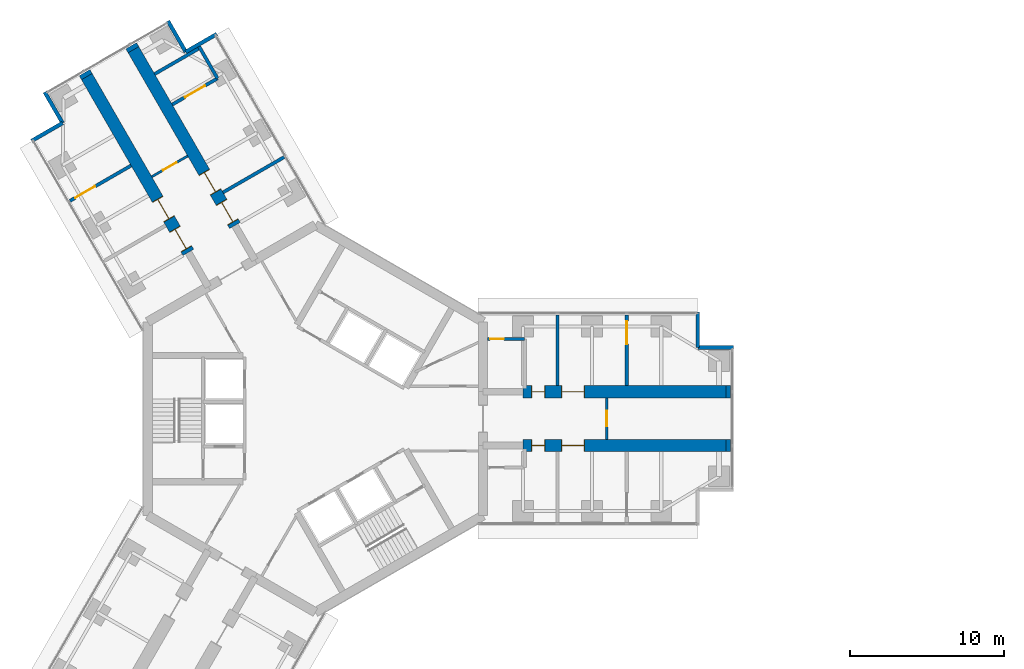
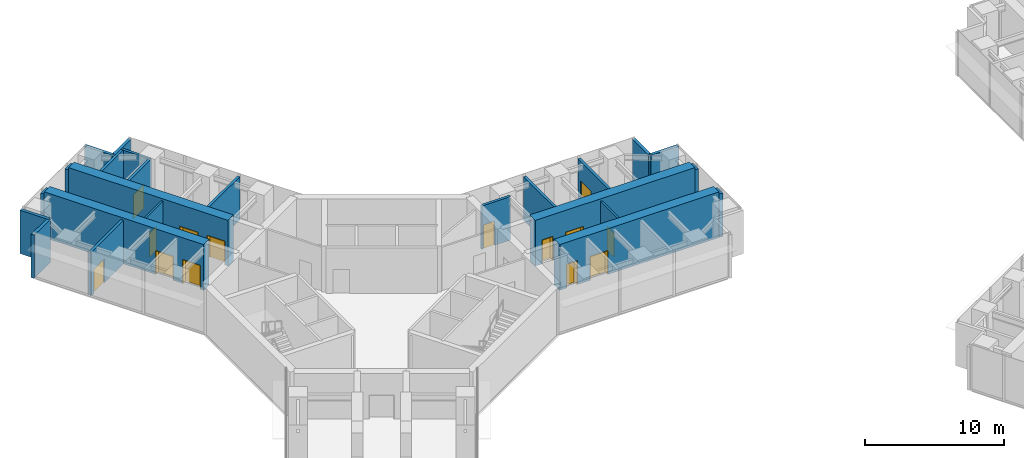
# One storey, part 17 of 21: 24 walls, 14 doors, 14 openings.
"""IFC4 building model written with IfcOpenShell, lengths in metres."""

from ifc_helpers import new_model, si_unit, direction, frame, frame_2d, origin, place, context, subcontext, project, spatial, rectangle, extrude, material, layer, layer_set, type_object, element, fill, save


model = new_model("IFC4")

# Units and contexts
model_context = context("Model", 3, precision=1e-05, world=origin(), true_north=direction((0.0, 1.0)))
body_context = subcontext(model_context, "Body", "Model", "MODEL_VIEW")
ifc_project = project(units=[si_unit("LENGTHUNIT", "METRE"), si_unit("AREAUNIT", "SQUARE_METRE"), si_unit("VOLUMEUNIT", "CUBIC_METRE"), si_unit("PLANEANGLEUNIT", "RADIAN"), si_unit("MASSUNIT", "GRAM", prefix="KILO")], contexts=[model_context])

# Site, building, storey
site_placement = place(None, origin())
site = spatial("IfcSite", under=ifc_project, at=site_placement, CompositionType="ELEMENT")
building_placement = place(site_placement, origin())
building = spatial("IfcBuilding", under=site, at=building_placement, Name="Upepo Twin Towers", CompositionType="ELEMENT")
storey_placement = place(building_placement, frame((0.0, 0.0, 117.5)))
storey = spatial("IfcBuildingStorey", under=building, at=storey_placement, Name="L28", CompositionType="ELEMENT", Elevation=117.5)

# Wall
ifc_material_1 = material(Name="Concrete blockwork, plastered both faces", Category="masonry")
ifc_layer_1 = layer(ifc_material_1, 0.215087890625)
ifc_layer_set_1 = layer_set([ifc_layer_1], Name="Blockwork partition 215")
wall_type_1 = type_object("IfcWallType", Name="Blockwork partition 215", PredefinedType="PARTITIONING", material=ifc_layer_set_1)
wall_1_placement = place(storey_placement, frame((15.75, 2.14990234375, 0.0), z_axis=(0.0, 0.0, 1.0), x_axis=(0.0, 1.0, 0.0)))
element("IfcWall", 1, at=wall_1_placement, inside=storey, type_object=wall_type_1, Name="T1 partition AL at 15.75", PredefinedType="PARTITIONING", context=body_context, shape_type="SweptSolid", body=[
    extrude(rectangle(XDim=4.60009765625, YDim=0.215087890625, at=frame_2d((2.300048828125, 0.0))), origin(), (0.0, 0.0, 1.0), 3.800048828125),
])

# Wall, opening, door
wall_2_placement = place(storey_placement, frame((20.25, 2.14990234375, 0.0), z_axis=(0.0, 0.0, 1.0), x_axis=(0.0, 1.0, 0.0)))
wall_2 = element("IfcWall", 2, at=wall_2_placement, inside=storey, type_object=wall_type_1, Name="T1 partition AL at 20.25", PredefinedType="PARTITIONING", context=body_context, shape_type="SweptSolid", body=[
    extrude(rectangle(XDim=4.60009765625, YDim=0.215087890625, at=frame_2d((2.300048828125, 0.0))), origin(), (0.0, 0.0, 1.0), 3.800048828125),
])
opening_1_placement = place(wall_2_placement, frame((2.699951171875, 0.0, 0.0)))
opening_1 = element("IfcOpeningElement", 3, at=opening_1_placement, cuts=wall_2, Name="Opening D13", PredefinedType="OPENING", context=body_context, shape_type="SweptSolid", body=[
    extrude(rectangle(XDim=1.5, YDim=2.10009765625, at=frame_2d((0.75, 1.050048828125))), frame((0.0, 0.117431640625, 0.0), z_axis=(0.0, -1.0, 0.0), x_axis=(1.0, 0.0, 0.0)), (0.0, 0.0, 1.0), 0.235107421875),
])
ifc_material_2 = material(Name="Timber doorset", Category="wood")
door_type_1 = type_object("IfcDoorType", Name="Double door 1500 FD30", OperationType="DOUBLE_DOOR_SINGLE_SWING", PredefinedType="DOOR", material=ifc_material_2)
door_1_placement = place(opening_1_placement, origin())
door_1 = element("IfcDoor", 4, at=door_1_placement, inside=storey, type_object=door_type_1, Name="T1 L28 connecting door", OperationType="DOUBLE_DOOR_SINGLE_SWING", OverallHeight=2.10009765625, OverallWidth=1.5, PredefinedType="DOOR", context=body_context, shape_type="SweptSolid", body=[
    extrude(rectangle(XDim=1.5, YDim=2.10009765625, at=frame_2d((0.75, 1.050048828125))), frame((0.0, 0.02490234375, 0.0), z_axis=(0.0, -1.0, 0.0), x_axis=(1.0, 0.0, 0.0)), (0.0, 0.0, 1.0), 0.050048828125),
])
fill(opening_1, door_1)

wall_3_placement = place(storey_placement, frame((11.2080078125, 5.175048828125, 0.0), z_axis=(0.0, 0.0, 1.0), x_axis=(1.0, 0.0, 0.0)))
wall_3 = element("IfcWall", 5, at=wall_3_placement, inside=storey, type_object=wall_type_1, Name="T1 WC bay partition AL at 11.21", PredefinedType="PARTITIONING", context=body_context, shape_type="SweptSolid", body=[
    extrude(rectangle(XDim=2.39990234375, YDim=0.215087890625, at=frame_2d((1.199951171875, 0.0))), origin(), (0.0, 0.0, 1.0), 3.800048828125),
])
opening_2_placement = place(wall_3_placement, frame((0.14990234375, 0.0, 0.0)))
opening_2 = element("IfcOpeningElement", 6, at=opening_2_placement, cuts=wall_3, Name="Opening D14", PredefinedType="OPENING", context=body_context, shape_type="SweptSolid", body=[
    extrude(rectangle(XDim=0.89990234375, YDim=2.10009765625, at=frame_2d((0.449951171875, 1.050048828125))), frame((0.0, 0.117431640625, 0.0), z_axis=(0.0, -1.0, 0.0), x_axis=(1.0, 0.0, 0.0)), (0.0, 0.0, 1.0), 0.235107421875),
])
ifc_material_3 = material(Name="Timber doorset", Category="wood")
door_type_2 = type_object("IfcDoorType", Name="Office door 900 FD30", OperationType="SINGLE_SWING_LEFT", PredefinedType="DOOR", material=ifc_material_3)
door_2_placement = place(opening_2_placement, origin())
door_2 = element("IfcDoor", 7, at=door_2_placement, inside=storey, type_object=door_type_2, Name="T1 L28 WC bay inner room door", OperationType="SINGLE_SWING_LEFT", OverallHeight=2.10009765625, OverallWidth=0.89990234375, PredefinedType="DOOR", context=body_context, shape_type="SweptSolid", body=[
    extrude(rectangle(XDim=0.89990234375, YDim=2.10009765625, at=frame_2d((0.449951171875, 1.050048828125))), frame((0.0, 0.02490234375, 0.0), z_axis=(0.0, -1.0, 0.0), x_axis=(1.0, 0.0, 0.0)), (0.0, 0.0, 1.0), 0.050048828125),
])
fill(opening_2, door_2)

wall_4_placement = place(storey_placement, frame((-11.987060546875, 16.4619140625, 0.0), z_axis=(0.0, 0.0, 1.0), x_axis=(-0.866039752405, -0.499975146636, 0.0)))
wall_4 = element("IfcWall", 8, at=wall_4_placement, inside=storey, type_object=wall_type_1, Name="T1 partition BL at 20.25", PredefinedType="PARTITIONING", context=body_context, shape_type="SweptSolid", body=[
    extrude(rectangle(XDim=4.599853515625, YDim=0.215087890625, at=frame_2d((2.2998046875, 0.0))), origin(), (0.0, 0.0, 1.0), 3.800048828125),
])
opening_3_placement = place(wall_4_placement, frame((2.699951171875, 0.0, 0.0)))
opening_3 = element("IfcOpeningElement", 9, at=opening_3_placement, cuts=wall_4, Name="Opening D13", PredefinedType="OPENING", context=body_context, shape_type="SweptSolid", body=[
    extrude(rectangle(XDim=1.5, YDim=2.10009765625, at=frame_2d((0.75, 1.050048828125))), frame((0.0, 0.117431640625, 0.0), z_axis=(0.0, -1.0, 0.0), x_axis=(1.0, 0.0, 0.0)), (0.0, 0.0, 1.0), 0.235107421875),
])
door_3_placement = place(opening_3_placement, origin())
door_3 = element("IfcDoor", 10, at=door_3_placement, inside=storey, type_object=door_type_1, Name="T1 L28 connecting door", OperationType="DOUBLE_DOOR_SINGLE_SWING", OverallHeight=2.10009765625, OverallWidth=1.5, PredefinedType="DOOR", context=body_context, shape_type="SweptSolid", body=[
    extrude(rectangle(XDim=1.5, YDim=2.10009765625, at=frame_2d((0.75, 1.050048828125))), frame((0.0, 0.02490234375, 0.0), z_axis=(0.0, -1.0, 0.0), x_axis=(1.0, 0.0, 0.0)), (0.0, 0.0, 1.0), 0.050048828125),
])
fill(opening_3, door_3)

# Walls
wall_5_placement = place(storey_placement, frame((-6.012939453125, 14.71484375, 0.0), z_axis=(0.0, 0.0, 1.0), x_axis=(0.866016770315, 0.500014953309, 0.0)))
element("IfcWall", 11, at=wall_5_placement, inside=storey, type_object=wall_type_1, Name="T1 partition BR at 15.75", PredefinedType="PARTITIONING", context=body_context, shape_type="SweptSolid", body=[
    extrude(rectangle(XDim=4.599853515625, YDim=0.215087890625, at=frame_2d((2.2998046875, 0.0))), origin(), (0.0, 0.0, 1.0), 3.800048828125),
])
wall_6_placement = place(storey_placement, frame((-6.36865234375, 22.130615234375, 0.0), z_axis=(0.0, 0.0, 1.0), x_axis=(-0.499957262057, 0.866050077142, 0.0)))
element("IfcWall", 12, at=wall_6_placement, inside=storey, type_object=wall_type_1, Name="T1 inner room partition BR at 22.35", PredefinedType="PARTITIONING", context=body_context, shape_type="SweptSolid", body=[
    extrude(rectangle(XDim=2.400146484375, YDim=0.215087890625, at=frame_2d((1.2001953125, 0.0))), origin(), (0.0, 0.0, 1.0), 3.800048828125),
])

# Wall, opening, door
wall_7_placement = place(storey_placement, frame((-9.31298828125, 20.4306640625, 0.0), z_axis=(0.0, 0.0, 1.0), x_axis=(0.866020560687, 0.500008388397, 0.0)))
wall_7 = element("IfcWall", 13, at=wall_7_placement, inside=storey, type_object=wall_type_1, Name="T1 inner room partition BR end at 22.35", PredefinedType="PARTITIONING", context=body_context, shape_type="SweptSolid", body=[
    extrude(rectangle(XDim=3.39990234375, YDim=0.215087890625, at=frame_2d((1.699951171875, 0.0))), origin(), (0.0, 0.0, 1.0), 3.800048828125),
])
opening_4_placement = place(wall_7_placement, frame((0.949951171875, 0.0, 0.0)))
opening_4 = element("IfcOpeningElement", 14, at=opening_4_placement, cuts=wall_7, Name="Opening D13", PredefinedType="OPENING", context=body_context, shape_type="SweptSolid", body=[
    extrude(rectangle(XDim=1.5, YDim=2.10009765625, at=frame_2d((0.75, 1.050048828125))), frame((0.0, 0.117431640625, 0.0), z_axis=(0.0, -1.0, 0.0), x_axis=(1.0, 0.0, 0.0)), (0.0, 0.0, 1.0), 0.235107421875),
])
door_4_placement = place(opening_4_placement, origin())
door_4 = element("IfcDoor", 15, at=door_4_placement, inside=storey, type_object=door_type_1, Name="T1 L28 inner room door", OperationType="DOUBLE_DOOR_SINGLE_SWING", OverallHeight=2.10009765625, OverallWidth=1.5, PredefinedType="DOOR", context=body_context, shape_type="SweptSolid", body=[
    extrude(rectangle(XDim=1.5, YDim=2.10009765625, at=frame_2d((0.75, 1.050048828125))), frame((0.0, 0.02490234375, 0.0), z_axis=(0.0, -1.0, 0.0), x_axis=(1.0, 0.0, 0.0)), (0.0, 0.0, 1.0), 0.050048828125),
])
fill(opening_4, door_4)

# Walls
wall_8_placement = place(storey_placement, frame((-10.459228515625, 22.416015625, 0.0), z_axis=(0.0, 0.0, 1.0), x_axis=(0.866020560687, 0.500008388397, 0.0)))
element("IfcWall", 16, at=wall_8_placement, inside=storey, type_object=wall_type_1, Name="T1 inner room partition BR end at 24.75", PredefinedType="PARTITIONING", context=body_context, shape_type="SweptSolid", body=[
    extrude(rectangle(XDim=3.39990234375, YDim=0.215087890625, at=frame_2d((1.699951171875, 0.0))), origin(), (0.0, 0.0, 1.0), 3.800048828125),
])
ifc_material_4 = material(Name="Dense concrete blockwork", Category="masonry")
ifc_layer_2 = layer(ifc_material_4, 0.800048828125)
ifc_layer_set_2 = layer_set([ifc_layer_2], Name="Buttress closer 800, blockwork with fire-stopping to the curtain wall")
wall_type_2 = type_object("IfcWallType", Name="Buttress closer 800, blockwork with fire-stopping to the curtain wall", PredefinedType="PARTITIONING", material=ifc_layer_set_2)
for number, where, z_axis, x_axis, name in (
    (17, (26.699951171875, 1.75, 0.0), (0.0, 0.0, 1.0), (1.0, 0.0, 0.0), "T1 L28 wing A buttress closer L"),
    (18, (26.699951171875, -1.75, 0.0), (0.0, 0.0, 1.0), (1.0, 0.0, 0.0), "T1 L28 wing A buttress closer R"),
    (19, (-14.865478515625, 22.247802734375, 0.0), (0.0, 0.0, 1.0), (-0.500426713919, 0.865778900179, 0.0), "T1 L28 wing B buttress closer L"),
):
    element("IfcWall", number, at=place(storey_placement, frame(where, z_axis=z_axis, x_axis=x_axis)), inside=storey, type_object=wall_type_2, Name=name, PredefinedType="PARTITIONING", context=body_context, shape_type="SweptSolid", body=[
        extrude(rectangle(XDim=0.300048828125, YDim=0.800048828125, at=frame_2d((0.14990234375, 0.0))), origin(), (0.0, 0.0, 1.0), 3.800048828125),
    ])
wall_9_placement = place(storey_placement, frame((-11.83447265625, 23.997802734375, 0.0), z_axis=(0.0, 0.0, 1.0), x_axis=(-0.499816412211, 0.866131372301, 0.0)))
element("IfcWall", 20, at=wall_9_placement, inside=storey, type_object=wall_type_2, Name="T1 L28 wing B buttress closer R", PredefinedType="PARTITIONING", context=body_context, shape_type="SweptSolid", body=[
    extrude(rectangle(XDim=0.2998046875, YDim=0.800048828125, at=frame_2d((0.14990234375, 0.0))), origin(), (0.0, 0.0, 1.0), 3.800048828125),
])

# Wall, openings, doors
ifc_material_5 = material(Name="Concrete C60/75", Category="concrete")
ifc_layer_3 = layer(ifc_material_5, 0.800048828125)
ifc_layer_set_3 = layer_set([ifc_layer_3], Name="Concrete C60/75")
wall_type_3 = type_object("IfcWallType", Name="Buttress wall 800 RC", PredefinedType="SHEAR", material=ifc_layer_set_3)
wall_10_placement = place(storey_placement, frame((13.5, 1.75, 0.0), z_axis=(0.0, 0.0, 1.0), x_axis=(1.0, 0.0, 0.0)))
wall_10 = element("IfcWall", 21, at=wall_10_placement, inside=storey, type_object=wall_type_3, Name="T1 wing A buttress wall L part 2", PredefinedType="SHEAR", context=body_context, shape_type="SweptSolid", body=[
    extrude(rectangle(XDim=13.199951171875, YDim=0.800048828125, at=frame_2d((6.60009765625, 0.0))), origin(), (0.0, 0.0, 1.0), 4.0),
])
opening_5_placement = place(wall_10_placement, frame((0.550048828125, 0.0, 0.0)))
opening_5 = element("IfcOpeningElement", 22, at=opening_5_placement, cuts=wall_10, Name="Opening D11", PredefinedType="OPENING", context=body_context, shape_type="SweptSolid", body=[
    extrude(rectangle(XDim=0.89990234375, YDim=2.10009765625, at=frame_2d((0.449951171875, 1.050048828125))), frame((0.0, 0.409912109375, 0.0), z_axis=(0.0, -1.0, 0.0), x_axis=(1.0, 0.0, 0.0)), (0.0, 0.0, 1.0), 0.820068359375),
])
opening_6_placement = place(wall_10_placement, frame((2.5, 0.0, 0.0)))
opening_6 = element("IfcOpeningElement", 23, at=opening_6_placement, cuts=wall_10, Name="Opening D13", PredefinedType="OPENING", context=body_context, shape_type="SweptSolid", body=[
    extrude(rectangle(XDim=1.5, YDim=2.10009765625, at=frame_2d((0.75, 1.050048828125))), frame((0.0, 0.409912109375, 0.0), z_axis=(0.0, -1.0, 0.0), x_axis=(1.0, 0.0, 0.0)), (0.0, 0.0, 1.0), 0.820068359375),
])
door_5_placement = place(opening_6_placement, origin())
door_5 = element("IfcDoor", 24, at=door_5_placement, inside=storey, type_object=door_type_1, Name="T1 L28 instrument room door", OperationType="DOUBLE_DOOR_SINGLE_SWING", OverallHeight=2.10009765625, OverallWidth=1.5, PredefinedType="DOOR", context=body_context, shape_type="SweptSolid", body=[
    extrude(rectangle(XDim=1.42, YDim=2.06009765625, at=frame_2d((0.75, 1.030029296875))), frame((0.0, 0.02490234375, 0.0), z_axis=(0.0, -1.0, 0.0), x_axis=(1.0, 0.0, 0.0)), (0.0, 0.0, 1.0), 0.050048828125),
    extrude(rectangle(XDim=0.04, YDim=2.10009765625, at=frame_2d((0.02001953125, 1.050048828125))), frame((0.0, 0.39990234375, 0.0), z_axis=(0.0, -1.0, 0.0), x_axis=(1.0, 0.0, 0.0)), (0.0, 0.0, 1.0), 0.799560546875),
    extrude(rectangle(XDim=0.04, YDim=2.10009765625, at=frame_2d((1.47998046875, 1.050048828125))), frame((0.0, 0.39990234375, 0.0), z_axis=(0.0, -1.0, 0.0), x_axis=(1.0, 0.0, 0.0)), (0.0, 0.0, 1.0), 0.799560546875),
    extrude(rectangle(XDim=1.42, YDim=0.04, at=frame_2d((0.75, 2.080078125))), frame((0.0, 0.39990234375, 0.0), z_axis=(0.0, -1.0, 0.0), x_axis=(1.0, 0.0, 0.0)), (0.0, 0.0, 1.0), 0.799560546875),
])
fill(opening_6, door_5)
ifc_material_6 = material(Name="Timber doorset", Category="wood")
door_type_3 = type_object("IfcDoorType", Name="Toilet door 900", OperationType="SINGLE_SWING_LEFT", PredefinedType="DOOR", material=ifc_material_6)
door_6_placement = place(opening_5_placement, origin())
door_6 = element("IfcDoor", 25, at=door_6_placement, inside=storey, type_object=door_type_3, Name="T1 L28 accessible wc door", OperationType="SINGLE_SWING_LEFT", OverallHeight=2.10009765625, OverallWidth=0.89990234375, PredefinedType="DOOR", context=body_context, shape_type="SweptSolid", body=[
    extrude(rectangle(XDim=0.81990234375, YDim=2.06009765625, at=frame_2d((0.449951171875, 1.030029296875))), frame((0.0, 0.02490234375, 0.0), z_axis=(0.0, -1.0, 0.0), x_axis=(1.0, 0.0, 0.0)), (0.0, 0.0, 1.0), 0.050048828125),
    extrude(rectangle(XDim=0.04, YDim=2.10009765625, at=frame_2d((0.02001953125, 1.050048828125))), frame((0.0, 0.39990234375, 0.0), z_axis=(0.0, -1.0, 0.0), x_axis=(1.0, 0.0, 0.0)), (0.0, 0.0, 1.0), 0.799560546875),
    extrude(rectangle(XDim=0.04, YDim=2.10009765625, at=frame_2d((0.8798828125, 1.050048828125))), frame((0.0, 0.39990234375, 0.0), z_axis=(0.0, -1.0, 0.0), x_axis=(1.0, 0.0, 0.0)), (0.0, 0.0, 1.0), 0.799560546875),
    extrude(rectangle(XDim=0.81990234375, YDim=0.04, at=frame_2d((0.449951171875, 2.080078125))), frame((0.0, 0.39990234375, 0.0), z_axis=(0.0, -1.0, 0.0), x_axis=(1.0, 0.0, 0.0)), (0.0, 0.0, 1.0), 0.799560546875),
])
fill(opening_5, door_6)

wall_11_placement = place(storey_placement, frame((13.5, -1.75, 0.0), z_axis=(0.0, 0.0, 1.0), x_axis=(1.0, 0.0, 0.0)))
wall_11 = element("IfcWall", 26, at=wall_11_placement, inside=storey, type_object=wall_type_3, Name="T1 wing A buttress wall R part 2", PredefinedType="SHEAR", context=body_context, shape_type="SweptSolid", body=[
    extrude(rectangle(XDim=13.199951171875, YDim=0.800048828125, at=frame_2d((6.60009765625, 0.0))), origin(), (0.0, 0.0, 1.0), 4.0),
])
opening_7_placement = place(wall_11_placement, frame((0.550048828125, 0.0, 0.0)))
opening_7 = element("IfcOpeningElement", 27, at=opening_7_placement, cuts=wall_11, Name="Opening D11", PredefinedType="OPENING", context=body_context, shape_type="SweptSolid", body=[
    extrude(rectangle(XDim=0.89990234375, YDim=2.10009765625, at=frame_2d((0.449951171875, 1.050048828125))), frame((0.0, 0.409912109375, 0.0), z_axis=(0.0, -1.0, 0.0), x_axis=(1.0, 0.0, 0.0)), (0.0, 0.0, 1.0), 0.820068359375),
])
opening_8_placement = place(wall_11_placement, frame((2.5, 0.0, 0.0)))
opening_8 = element("IfcOpeningElement", 28, at=opening_8_placement, cuts=wall_11, Name="Opening D13", PredefinedType="OPENING", context=body_context, shape_type="SweptSolid", body=[
    extrude(rectangle(XDim=1.5, YDim=2.10009765625, at=frame_2d((0.75, 1.050048828125))), frame((0.0, 0.409912109375, 0.0), z_axis=(0.0, -1.0, 0.0), x_axis=(1.0, 0.0, 0.0)), (0.0, 0.0, 1.0), 0.820068359375),
])
door_7_placement = place(opening_8_placement, origin())
door_7 = element("IfcDoor", 29, at=door_7_placement, inside=storey, type_object=door_type_1, Name="T1 L28 laboratory prep room door", OperationType="DOUBLE_DOOR_SINGLE_SWING", OverallHeight=2.10009765625, OverallWidth=1.5, PredefinedType="DOOR", context=body_context, shape_type="SweptSolid", body=[
    extrude(rectangle(XDim=1.42, YDim=2.06009765625, at=frame_2d((0.75, 1.030029296875))), frame((0.0, 0.02490234375, 0.0), z_axis=(0.0, -1.0, 0.0), x_axis=(1.0, 0.0, 0.0)), (0.0, 0.0, 1.0), 0.050048828125),
    extrude(rectangle(XDim=0.04, YDim=2.10009765625, at=frame_2d((0.02001953125, 1.050048828125))), frame((0.0, 0.39990234375, 0.0), z_axis=(0.0, -1.0, 0.0), x_axis=(1.0, 0.0, 0.0)), (0.0, 0.0, 1.0), 0.799560546875),
    extrude(rectangle(XDim=0.04, YDim=2.10009765625, at=frame_2d((1.47998046875, 1.050048828125))), frame((0.0, 0.39990234375, 0.0), z_axis=(0.0, -1.0, 0.0), x_axis=(1.0, 0.0, 0.0)), (0.0, 0.0, 1.0), 0.799560546875),
    extrude(rectangle(XDim=1.42, YDim=0.04, at=frame_2d((0.75, 2.080078125))), frame((0.0, 0.39990234375, 0.0), z_axis=(0.0, -1.0, 0.0), x_axis=(1.0, 0.0, 0.0)), (0.0, 0.0, 1.0), 0.799560546875),
])
fill(opening_8, door_7)
door_8_placement = place(opening_7_placement, origin())
door_8 = element("IfcDoor", 30, at=door_8_placement, inside=storey, type_object=door_type_3, Name="T1 L28 toilets door", OperationType="SINGLE_SWING_LEFT", OverallHeight=2.10009765625, OverallWidth=0.89990234375, PredefinedType="DOOR", context=body_context, shape_type="SweptSolid", body=[
    extrude(rectangle(XDim=0.81990234375, YDim=2.06009765625, at=frame_2d((0.449951171875, 1.030029296875))), frame((0.0, 0.02490234375, 0.0), z_axis=(0.0, -1.0, 0.0), x_axis=(1.0, 0.0, 0.0)), (0.0, 0.0, 1.0), 0.050048828125),
    extrude(rectangle(XDim=0.04, YDim=2.10009765625, at=frame_2d((0.02001953125, 1.050048828125))), frame((0.0, 0.39990234375, 0.0), z_axis=(0.0, -1.0, 0.0), x_axis=(1.0, 0.0, 0.0)), (0.0, 0.0, 1.0), 0.799560546875),
    extrude(rectangle(XDim=0.04, YDim=2.10009765625, at=frame_2d((0.8798828125, 1.050048828125))), frame((0.0, 0.39990234375, 0.0), z_axis=(0.0, -1.0, 0.0), x_axis=(1.0, 0.0, 0.0)), (0.0, 0.0, 1.0), 0.799560546875),
    extrude(rectangle(XDim=0.81990234375, YDim=0.04, at=frame_2d((0.449951171875, 2.080078125))), frame((0.0, 0.39990234375, 0.0), z_axis=(0.0, -1.0, 0.0), x_axis=(1.0, 0.0, 0.0)), (0.0, 0.0, 1.0), 0.799560546875),
])
fill(opening_7, door_8)

wall_12_placement = place(storey_placement, frame((-8.265625, 10.81640625, 0.0), z_axis=(0.0, 0.0, 1.0), x_axis=(-0.499996231654, 0.866027579429, 0.0)))
wall_12 = element("IfcWall", 31, at=wall_12_placement, inside=storey, type_object=wall_type_3, Name="T1 wing B buttress wall L part 2", PredefinedType="SHEAR", context=body_context, shape_type="SweptSolid", body=[
    extrude(rectangle(XDim=13.19970703125, YDim=0.800048828125, at=frame_2d((6.599853515625, 0.0))), origin(), (0.0, 0.0, 1.0), 4.0),
])
opening_9_placement = place(wall_12_placement, frame((0.25, 0.0, 0.0)))
opening_9 = element("IfcOpeningElement", 32, at=opening_9_placement, cuts=wall_12, Name="Opening D13", PredefinedType="OPENING", context=body_context, shape_type="SweptSolid", body=[
    extrude(rectangle(XDim=1.5, YDim=2.10009765625, at=frame_2d((0.75, 1.050048828125))), frame((0.0, 0.409912109375, 0.0), z_axis=(0.0, -1.0, 0.0), x_axis=(1.0, 0.0, 0.0)), (0.0, 0.0, 1.0), 0.820068359375),
])
opening_10_placement = place(wall_12_placement, frame((2.5, 0.0, 0.0)))
opening_10 = element("IfcOpeningElement", 33, at=opening_10_placement, cuts=wall_12, Name="Opening D13", PredefinedType="OPENING", context=body_context, shape_type="SweptSolid", body=[
    extrude(rectangle(XDim=1.5, YDim=2.10009765625, at=frame_2d((0.75, 1.050048828125))), frame((0.0, 0.409912109375, 0.0), z_axis=(0.0, -1.0, 0.0), x_axis=(1.0, 0.0, 0.0)), (0.0, 0.0, 1.0), 0.820068359375),
])
door_9_placement = place(opening_9_placement, origin())
door_9 = element("IfcDoor", 34, at=door_9_placement, inside=storey, type_object=door_type_1, Name="T1 L28 instrument room door", OperationType="DOUBLE_DOOR_SINGLE_SWING", OverallHeight=2.10009765625, OverallWidth=1.5, PredefinedType="DOOR", context=body_context, shape_type="SweptSolid", body=[
    extrude(rectangle(XDim=1.42, YDim=2.06009765625, at=frame_2d((0.75, 1.030029296875))), frame((0.0, 0.02490234375, 0.0), z_axis=(0.0, -1.0, 0.0), x_axis=(1.0, 0.0, 0.0)), (0.0, 0.0, 1.0), 0.050048828125),
    extrude(rectangle(XDim=0.04, YDim=2.10009765625, at=frame_2d((0.02001953125, 1.050048828125))), frame((0.0, 0.39990234375, 0.0), z_axis=(0.0, -1.0, 0.0), x_axis=(1.0, 0.0, 0.0)), (0.0, 0.0, 1.0), 0.799560546875),
    extrude(rectangle(XDim=0.04, YDim=2.10009765625, at=frame_2d((1.47998046875, 1.050048828125))), frame((0.0, 0.39990234375, 0.0), z_axis=(0.0, -1.0, 0.0), x_axis=(1.0, 0.0, 0.0)), (0.0, 0.0, 1.0), 0.799560546875),
    extrude(rectangle(XDim=1.42, YDim=0.04, at=frame_2d((0.75, 2.080078125))), frame((0.0, 0.39990234375, 0.0), z_axis=(0.0, -1.0, 0.0), x_axis=(1.0, 0.0, 0.0)), (0.0, 0.0, 1.0), 0.799560546875),
])
fill(opening_9, door_9)
door_10_placement = place(opening_10_placement, origin())
door_10 = element("IfcDoor", 35, at=door_10_placement, inside=storey, type_object=door_type_1, Name="T1 L28 write-up room door", OperationType="DOUBLE_DOOR_SINGLE_SWING", OverallHeight=2.10009765625, OverallWidth=1.5, PredefinedType="DOOR", context=body_context, shape_type="SweptSolid", body=[
    extrude(rectangle(XDim=1.42, YDim=2.06009765625, at=frame_2d((0.75, 1.030029296875))), frame((0.0, 0.02490234375, 0.0), z_axis=(0.0, -1.0, 0.0), x_axis=(1.0, 0.0, 0.0)), (0.0, 0.0, 1.0), 0.050048828125),
    extrude(rectangle(XDim=0.04, YDim=2.10009765625, at=frame_2d((0.02001953125, 1.050048828125))), frame((0.0, 0.39990234375, 0.0), z_axis=(0.0, -1.0, 0.0), x_axis=(1.0, 0.0, 0.0)), (0.0, 0.0, 1.0), 0.799560546875),
    extrude(rectangle(XDim=0.04, YDim=2.10009765625, at=frame_2d((1.47998046875, 1.050048828125))), frame((0.0, 0.39990234375, 0.0), z_axis=(0.0, -1.0, 0.0), x_axis=(1.0, 0.0, 0.0)), (0.0, 0.0, 1.0), 0.799560546875),
    extrude(rectangle(XDim=1.42, YDim=0.04, at=frame_2d((0.75, 2.080078125))), frame((0.0, 0.39990234375, 0.0), z_axis=(0.0, -1.0, 0.0), x_axis=(1.0, 0.0, 0.0)), (0.0, 0.0, 1.0), 0.799560546875),
])
fill(opening_10, door_10)

wall_13_placement = place(storey_placement, frame((-5.234375, 12.56640625, 0.0), z_axis=(0.0, 0.0, 1.0), x_axis=(-0.500010103361, 0.866019570528, 0.0)))
wall_13 = element("IfcWall", 36, at=wall_13_placement, inside=storey, type_object=wall_type_3, Name="T1 wing B buttress wall R part 2", PredefinedType="SHEAR", context=body_context, shape_type="SweptSolid", body=[
    extrude(rectangle(XDim=13.199951171875, YDim=0.800048828125, at=frame_2d((6.60009765625, 0.0))), origin(), (0.0, 0.0, 1.0), 4.0),
])
opening_11_placement = place(wall_13_placement, frame((0.25, 0.0, 0.0)))
opening_11 = element("IfcOpeningElement", 37, at=opening_11_placement, cuts=wall_13, Name="Opening D13", PredefinedType="OPENING", context=body_context, shape_type="SweptSolid", body=[
    extrude(rectangle(XDim=1.5, YDim=2.10009765625, at=frame_2d((0.75, 1.050048828125))), frame((0.0, 0.409912109375, 0.0), z_axis=(0.0, -1.0, 0.0), x_axis=(1.0, 0.0, 0.0)), (0.0, 0.0, 1.0), 0.820068359375),
])
opening_12_placement = place(wall_13_placement, frame((2.5, 0.0, 0.0)))
opening_12 = element("IfcOpeningElement", 38, at=opening_12_placement, cuts=wall_13, Name="Opening D13", PredefinedType="OPENING", context=body_context, shape_type="SweptSolid", body=[
    extrude(rectangle(XDim=1.5, YDim=2.10009765625, at=frame_2d((0.75, 1.050048828125))), frame((0.0, 0.409912109375, 0.0), z_axis=(0.0, -1.0, 0.0), x_axis=(1.0, 0.0, 0.0)), (0.0, 0.0, 1.0), 0.820068359375),
])
door_11_placement = place(opening_11_placement, origin())
door_11 = element("IfcDoor", 39, at=door_11_placement, inside=storey, type_object=door_type_1, Name="T1 L28 research laboratory door", OperationType="DOUBLE_DOOR_SINGLE_SWING", OverallHeight=2.10009765625, OverallWidth=1.5, PredefinedType="DOOR", context=body_context, shape_type="SweptSolid", body=[
    extrude(rectangle(XDim=1.42, YDim=2.06009765625, at=frame_2d((0.75, 1.030029296875))), frame((0.0, 0.02490234375, 0.0), z_axis=(0.0, -1.0, 0.0), x_axis=(1.0, 0.0, 0.0)), (0.0, 0.0, 1.0), 0.050048828125),
    extrude(rectangle(XDim=0.04, YDim=2.10009765625, at=frame_2d((0.02001953125, 1.050048828125))), frame((0.0, 0.39990234375, 0.0), z_axis=(0.0, -1.0, 0.0), x_axis=(1.0, 0.0, 0.0)), (0.0, 0.0, 1.0), 0.799560546875),
    extrude(rectangle(XDim=0.04, YDim=2.10009765625, at=frame_2d((1.47998046875, 1.050048828125))), frame((0.0, 0.39990234375, 0.0), z_axis=(0.0, -1.0, 0.0), x_axis=(1.0, 0.0, 0.0)), (0.0, 0.0, 1.0), 0.799560546875),
    extrude(rectangle(XDim=1.42, YDim=0.04, at=frame_2d((0.75, 2.080078125))), frame((0.0, 0.39990234375, 0.0), z_axis=(0.0, -1.0, 0.0), x_axis=(1.0, 0.0, 0.0)), (0.0, 0.0, 1.0), 0.799560546875),
])
fill(opening_11, door_11)
door_12_placement = place(opening_12_placement, origin())
door_12 = element("IfcDoor", 40, at=door_12_placement, inside=storey, type_object=door_type_1, Name="T1 L28 research laboratory door", OperationType="DOUBLE_DOOR_SINGLE_SWING", OverallHeight=2.10009765625, OverallWidth=1.5, PredefinedType="DOOR", context=body_context, shape_type="SweptSolid", body=[
    extrude(rectangle(XDim=1.42, YDim=2.06009765625, at=frame_2d((0.75, 1.030029296875))), frame((0.0, 0.02490234375, 0.0), z_axis=(0.0, -1.0, 0.0), x_axis=(1.0, 0.0, 0.0)), (0.0, 0.0, 1.0), 0.050048828125),
    extrude(rectangle(XDim=0.04, YDim=2.10009765625, at=frame_2d((0.02001953125, 1.050048828125))), frame((0.0, 0.39990234375, 0.0), z_axis=(0.0, -1.0, 0.0), x_axis=(1.0, 0.0, 0.0)), (0.0, 0.0, 1.0), 0.799560546875),
    extrude(rectangle(XDim=0.04, YDim=2.10009765625, at=frame_2d((1.47998046875, 1.050048828125))), frame((0.0, 0.39990234375, 0.0), z_axis=(0.0, -1.0, 0.0), x_axis=(1.0, 0.0, 0.0)), (0.0, 0.0, 1.0), 0.799560546875),
    extrude(rectangle(XDim=1.42, YDim=0.04, at=frame_2d((0.75, 2.080078125))), frame((0.0, 0.39990234375, 0.0), z_axis=(0.0, -1.0, 0.0), x_axis=(1.0, 0.0, 0.0)), (0.0, 0.0, 1.0), 0.799560546875),
])
fill(opening_12, door_12)

# Walls
ifc_material_7 = material(Name="Blockwork with anodised aluminium cladding", Category="masonry")
ifc_layer_4 = layer(ifc_material_7, 0.25)
ifc_layer_set_4 = layer_set([ifc_layer_4], Name="Notch cladding wall 250, pale metal")
wall_type_4 = type_object("IfcWallType", Name="Notch cladding wall 250, pale metal", PredefinedType="STANDARD", material=ifc_layer_set_4)
for number, where, z_axis, x_axis, name in (
    (41, (24.875, 6.949951171875, 0.0), (0.0, 0.0, 1.0), (0.0, -1.0, 0.0), "T1 L28 wing A notch wall L1"),
    (42, (24.875, 4.625, 0.0), (0.0, 0.0, 1.0), (1.0, 0.0, 0.0), "T1 L28 wing A notch wall L2"),
    (43, (-18.456298828125, 18.0673828125, 0.0), (0.0, 0.0, 1.0), (0.865998469481, 0.500046648681, 0.0), "T1 L28 wing B notch wall L1"),
    (44, (-16.44287109375, 19.22998046875, 0.0), (0.0, 0.0, 1.0), (-0.500046648681, 0.865998469481, 0.0), "T1 L28 wing B notch wall L2"),
    (45, (-6.418701171875, 25.017333984375, 0.0), (0.0, 0.0, 1.0), (-0.866043940782, -0.499967891604, 0.0), "T1 L28 wing B notch wall R1"),
    (46, (-8.43212890625, 23.85498046875, 0.0), (0.0, 0.0, 1.0), (-0.500046648681, 0.865998469481, 0.0), "T1 L28 wing B notch wall R2"),
):
    element("IfcWall", number, at=place(storey_placement, frame(where, z_axis=z_axis, x_axis=x_axis)), inside=storey, type_object=wall_type_4, Name=name, PredefinedType="STANDARD", context=body_context, shape_type="SweptSolid", body=[
        extrude(rectangle(XDim=2.324951171875, YDim=0.25, at=frame_2d((1.16259765625, 0.0))), origin(), (0.0, 0.0, 1.0), 3.800048828125),
    ])

# Wall, opening, door
ifc_material_8 = material(Name="Gypsum board on steel studs", Category="steel")
ifc_layer_5 = layer(ifc_material_8, 0.14990234375)
ifc_layer_set_5 = layer_set([ifc_layer_5], Name="Teaching partition 150 acoustic")
wall_type_5 = type_object("IfcWallType", Name="Teaching partition 150 acoustic", PredefinedType="PARTITIONING", material=ifc_layer_set_5)
wall_14_placement = place(storey_placement, frame((18.949951171875, -1.35009765625, 0.0), z_axis=(0.0, 0.0, 1.0), x_axis=(0.0, 1.0, 0.0)))
wall_14 = element("IfcWall", 47, at=wall_14_placement, inside=storey, type_object=wall_type_5, Name="T1 corridor end partition A at 18.95", PredefinedType="PARTITIONING", context=body_context, shape_type="SweptSolid", body=[
    extrude(rectangle(XDim=2.7001953125, YDim=0.14990234375, at=frame_2d((1.35009765625, 0.0))), origin(), (0.0, 0.0, 1.0), 3.800048828125),
])
opening_13_placement = place(wall_14_placement, frame((0.85009765625, 0.0, 0.0)))
opening_13 = element("IfcOpeningElement", 48, at=opening_13_placement, cuts=wall_14, Name="Opening D1", PredefinedType="OPENING", context=body_context, shape_type="SweptSolid", body=[
    extrude(rectangle(XDim=1.0, YDim=2.10009765625, at=frame_2d((0.5, 1.050048828125))), frame((0.0, 0.0849609375, 0.0), z_axis=(0.0, -1.0, 0.0), x_axis=(1.0, 0.0, 0.0)), (0.0, 0.0, 1.0), 0.169921875),
])
ifc_material_9 = material(Name="Timber doorset", Category="wood")
door_type_4 = type_object("IfcDoorType", Name="Room door 1000 FD30", OperationType="SINGLE_SWING_LEFT", PredefinedType="DOOR", material=ifc_material_9)
door_13_placement = place(opening_13_placement, origin())
door_13 = element("IfcDoor", 49, at=door_13_placement, inside=storey, type_object=door_type_4, Name="T1 L28 breakout study room door", OperationType="SINGLE_SWING_LEFT", OverallHeight=2.10009765625, OverallWidth=1.0, PredefinedType="DOOR", context=body_context, shape_type="SweptSolid", body=[
    extrude(rectangle(XDim=1.0, YDim=2.10009765625, at=frame_2d((0.5, 1.050048828125))), frame((0.0, 0.02490234375, 0.0), z_axis=(0.0, -1.0, 0.0), x_axis=(1.0, 0.0, 0.0)), (0.0, 0.0, 1.0), 0.050048828125),
])
fill(opening_13, door_13)

wall_15_placement = place(storey_placement, frame((-8.305908203125, 17.086181640625, 0.0), z_axis=(0.0, 0.0, 1.0), x_axis=(-0.86599734893, -0.500048589285, 0.0)))
wall_15 = element("IfcWall", 50, at=wall_15_placement, inside=storey, type_object=wall_type_5, Name="T1 corridor end partition B at 18.95", PredefinedType="PARTITIONING", context=body_context, shape_type="SweptSolid", body=[
    extrude(rectangle(XDim=2.699951171875, YDim=0.14990234375, at=frame_2d((1.35009765625, 0.0))), origin(), (0.0, 0.0, 1.0), 3.800048828125),
])
opening_14_placement = place(wall_15_placement, frame((0.85009765625, 0.0, 0.0)))
opening_14 = element("IfcOpeningElement", 51, at=opening_14_placement, cuts=wall_15, Name="Opening D1", PredefinedType="OPENING", context=body_context, shape_type="SweptSolid", body=[
    extrude(rectangle(XDim=1.0, YDim=2.10009765625, at=frame_2d((0.5, 1.050048828125))), frame((0.0, 0.0849609375, 0.0), z_axis=(0.0, -1.0, 0.0), x_axis=(1.0, 0.0, 0.0)), (0.0, 0.0, 1.0), 0.169921875),
])
door_14_placement = place(opening_14_placement, origin())
door_14 = element("IfcDoor", 52, at=door_14_placement, inside=storey, type_object=door_type_4, Name="T1 L28 breakout study room door", OperationType="SINGLE_SWING_RIGHT", OverallHeight=2.10009765625, OverallWidth=1.0, PredefinedType="DOOR", context=body_context, shape_type="SweptSolid", body=[
    extrude(rectangle(XDim=1.0, YDim=2.10009765625, at=frame_2d((0.5, 1.050048828125))), frame((0.0, 0.02490234375, 0.0), z_axis=(0.0, -1.0, 0.0), x_axis=(1.0, 0.0, 0.0)), (0.0, 0.0, 1.0), 0.050048828125),
])
fill(opening_14, door_14)

save(model, "model.ifc")
